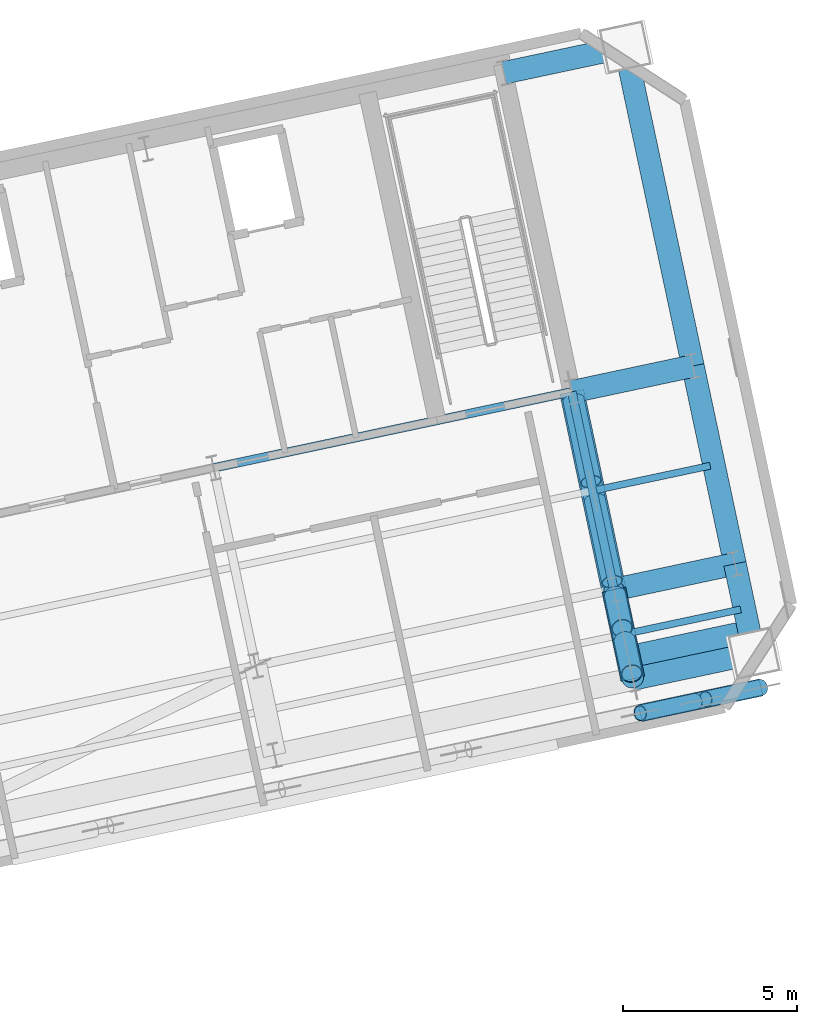
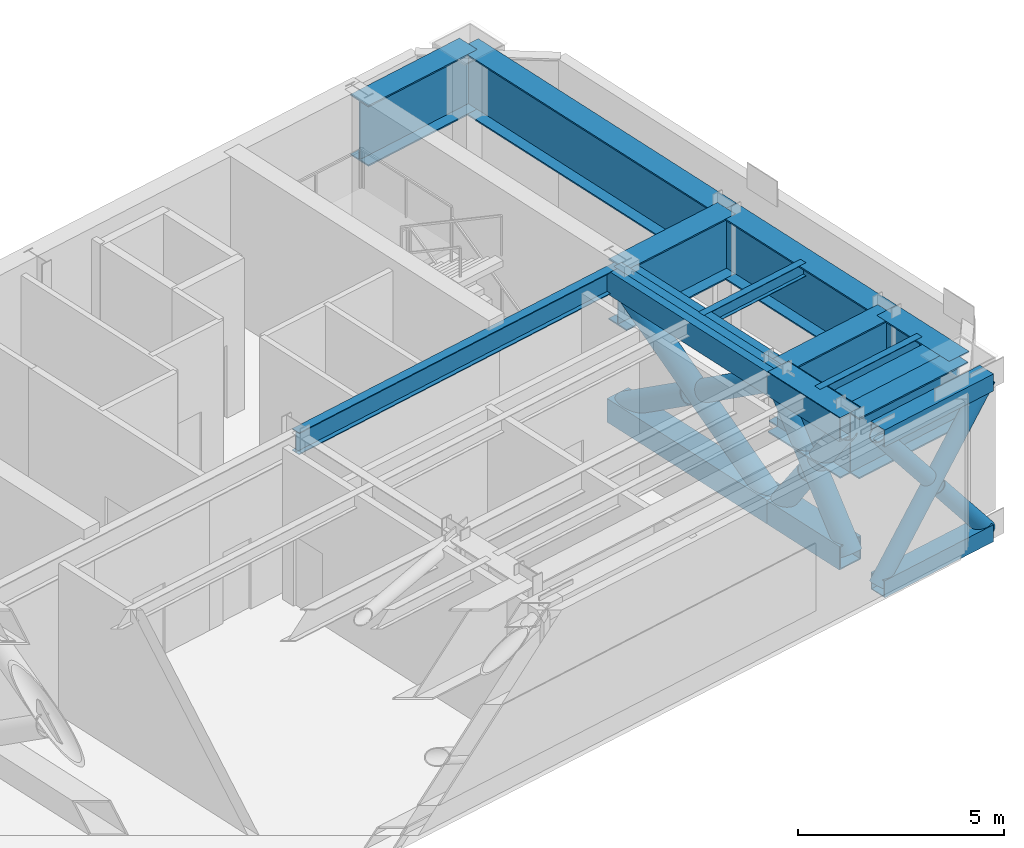
# One storey, part 5 of 15: 15 members, 13 beams.
"""IFC4 building model written with IfcOpenShell, lengths in metres."""

from ifc_helpers import new_model, si_unit, direction, frame, origin, origin_2d, place, context, subcontext, project, spatial, hollow_rectangle, hollow_circle, i_section, extrude, material, material_profile, profile_set, type_object, element, save


model = new_model("IFC4")

# Units and contexts
model_context = context("Model", 3, precision=1e-05, world=origin(), true_north=direction((0.0, 1.0)))
body_context = subcontext(model_context, "Body", "Model", "MODEL_VIEW")
ifc_project = project(units=[si_unit("LENGTHUNIT", "METRE"), si_unit("AREAUNIT", "SQUARE_METRE"), si_unit("VOLUMEUNIT", "CUBIC_METRE"), si_unit("PLANEANGLEUNIT", "RADIAN"), si_unit("MASSUNIT", "GRAM", prefix="KILO")], contexts=[model_context])

# Site, building, storey
site_placement = place(None, origin())
site = spatial("IfcSite", under=ifc_project, at=site_placement, CompositionType="ELEMENT")
building_placement = place(site_placement, origin())
building = spatial("IfcBuilding", under=site, at=building_placement, Name="Haevon Station Towers", CompositionType="ELEMENT")
storey_placement = place(building_placement, frame((0.0, 0.0, 192.300048828125)))
storey = spatial("IfcBuildingStorey", under=building, at=storey_placement, Name="L53", CompositionType="ELEMENT", Elevation=192.300048828125)

# Beams
ifc_material_1 = material(Name="Steel S355", Category="steel")
ifc_material_profile_1 = material_profile(ifc_material_1, i_section(OverallWidth=0.25, OverallDepth=0.64990234375, WebThickness=0.012939453125, FlangeThickness=0.02197265625, at=origin_2d()), Name="H-650x250x13x22")
ifc_profile_set_1 = profile_set([ifc_material_profile_1], Name="Steel S355")
beam_type_1 = type_object("IfcBeamType", Name="BM-G650", PredefinedType="BEAM", material=ifc_profile_set_1)
beam_1_placement = place(storey_placement, frame((109.02294921875, 39.62548828125, 4.175048828125), z_axis=(0.978146794194, 0.207915485254, 0.0), x_axis=(-0.207915485254, 0.978146794194, 0.0)))
element("IfcBeam", 1, at=beam_1_placement, inside=storey, type_object=beam_type_1, Name="BM-T2U-L53-03-03", PredefinedType="BEAM", context=body_context, shape_type="SweptSolid", body=[
    extrude(i_section(OverallWidth=0.25, OverallDepth=0.64990234375, WebThickness=0.012939453125, FlangeThickness=0.02197265625, at=origin_2d()), origin(), (0.0, 0.0, 1.0), 10.5),
])
beam_2_placement = place(storey_placement, frame((120.499267578125, 36.13525390625, 4.175048828125), z_axis=(-0.207896009217, 0.97815093383, 0.0), x_axis=(-0.97815093383, -0.207896009217, 0.0)))
element("IfcBeam", 2, at=beam_2_placement, inside=storey, type_object=beam_type_1, Name="BM-T2V-L53-04-02", PredefinedType="BEAM", context=body_context, shape_type="SweptSolid", body=[
    extrude(i_section(OverallWidth=0.25, OverallDepth=0.64990234375, WebThickness=0.012939453125, FlangeThickness=0.02197265625, at=origin_2d()), origin(), (0.0, 0.0, 1.0), 5.800048828125),
])
ifc_material_profile_2 = material_profile(ifc_material_1, i_section(OverallWidth=0.199951171875, OverallDepth=0.39990234375, WebThickness=0.008056640625, FlangeThickness=0.012939453125, at=origin_2d()), Name="H-400x200x8x13")
ifc_profile_set_2 = profile_set([ifc_material_profile_2], Name="Steel S355")
beam_type_2 = type_object("IfcBeamType", Name="BM-J400", PredefinedType="JOIST", material=ifc_profile_set_2)
beam_3_placement = place(storey_placement, frame((120.87939453125, 34.876708984375, 4.300048828125), z_axis=(0.978143382141, 0.207931536748, 0.0), x_axis=(-0.207931536748, 0.978143382141, 0.0)))
element("IfcBeam", 3, at=beam_3_placement, inside=storey, type_object=beam_type_2, Name="BM-T2J-L53-01-04", PredefinedType="JOIST", context=body_context, shape_type="SweptSolid", body=[
    extrude(i_section(OverallWidth=0.199951171875, OverallDepth=0.39990234375, WebThickness=0.008056640625, FlangeThickness=0.012939453125, at=origin_2d()), origin(), (0.0, 0.0, 1.0), 3.329833984375),
])
beam_4_placement = place(storey_placement, frame((120.00390625, 38.994873046875, 4.300048828125), z_axis=(0.978146551768, 0.207916625754, 0.0), x_axis=(-0.207916625754, 0.978146551768, 0.0)))
element("IfcBeam", 4, at=beam_4_placement, inside=storey, type_object=beam_type_2, Name="BM-T2J-L53-02-04", PredefinedType="JOIST", context=body_context, shape_type="SweptSolid", body=[
    extrude(i_section(OverallWidth=0.199951171875, OverallDepth=0.39990234375, WebThickness=0.008056640625, FlangeThickness=0.012939453125, at=origin_2d()), origin(), (0.0, 0.0, 1.0), 3.330078125),
])
ifc_material_2 = material(Name="Steel S460", Category="steel")
ifc_material_profile_3 = material_profile(ifc_material_2, i_section(OverallWidth=0.64990234375, OverallDepth=1.800048828125, WebThickness=0.02490234375, FlangeThickness=0.0400390625, at=origin_2d()), Name="H-1800x650x25x40")
ifc_profile_set_3 = profile_set([ifc_material_profile_3], Name="Steel S460")
beam_type_3 = type_object("IfcBeamType", Name="BM-TG1800", PredefinedType="BEAM", material=ifc_profile_set_3)
beam_5_placement = place(storey_placement, frame((121.0439453125, 33.572509765625, 3.599853515625), z_axis=(0.978153257847, 0.207885074414, 0.0), x_axis=(-0.207885074414, 0.978153257847, 0.0)))
element("IfcBeam", 5, at=beam_5_placement, inside=storey, type_object=beam_type_3, Name="BM-T2U-L53-01-04", PredefinedType="BEAM", context=body_context, shape_type="SweptSolid", body=[
    extrude(i_section(OverallWidth=0.64990234375, OverallDepth=1.800048828125, WebThickness=0.02490234375, FlangeThickness=0.0400390625, at=origin_2d()), origin(), (0.0, 0.0, 1.0), 3.55029296875),
])
for number, where, z_axis, x_axis, name in (
    (6, (120.499267578125, 36.13525390625, 3.599853515625), (0.978150285663, 0.207899058817, 0.0), (-0.207899058817, 0.978150285663, 0.0), "BM-T2U-L53-02-04"),
    (7, (119.29345703125, 41.80859375, 3.599853515625), (0.978150285663, 0.207899058817, 0.0), (-0.207899058817, 0.978150285663, 0.0), "BM-T2U-L53-03-04"),
):
    element("IfcBeam", number, at=place(storey_placement, frame(where, z_axis=z_axis, x_axis=x_axis)), inside=storey, type_object=beam_type_3, Name=name, PredefinedType="BEAM", context=body_context, shape_type="SweptSolid", body=[
        extrude(i_section(OverallWidth=0.64990234375, OverallDepth=1.800048828125, WebThickness=0.02490234375, FlangeThickness=0.0400390625, at=origin_2d()), origin(), (0.0, 0.0, 1.0), 3.550048828125),
    ])
beam_6_placement = place(storey_placement, frame((117.349365234375, 50.954345703125, 3.599853515625), z_axis=(0.978153257847, 0.207885074414, 0.0), x_axis=(-0.207885074414, 0.978153257847, 0.0)))
element("IfcBeam", 8, at=beam_6_placement, inside=storey, type_object=beam_type_3, Name="BM-T2U-L53-04-04", PredefinedType="BEAM", context=body_context, shape_type="SweptSolid", body=[
    extrude(i_section(OverallWidth=0.64990234375, OverallDepth=1.800048828125, WebThickness=0.02490234375, FlangeThickness=0.0400390625, at=origin_2d()), origin(), (0.0, 0.0, 1.0), 3.55029296875),
])
beam_7_placement = place(storey_placement, frame((121.0439453125, 33.572509765625, 3.599853515625), z_axis=(-0.207893304367, 0.978151508714, 0.0), x_axis=(-0.978151508714, -0.207893304367, 0.0)))
element("IfcBeam", 9, at=beam_7_placement, inside=storey, type_object=beam_type_3, Name="BM-T2V-L53-04-01", PredefinedType="BEAM", context=body_context, shape_type="SweptSolid", body=[
    extrude(i_section(OverallWidth=0.64990234375, OverallDepth=1.800048828125, WebThickness=0.02490234375, FlangeThickness=0.0400390625, at=origin_2d()), origin(), (0.0, 0.0, 1.0), 2.619873046875),
])
beam_8_placement = place(storey_placement, frame((124.5166015625, 34.310546875, 3.599853515625), z_axis=(-0.207982458313, 0.978132555963, 0.0), x_axis=(-0.978132555963, -0.207982458313, 0.0)))
element("IfcBeam", 10, at=beam_8_placement, inside=storey, type_object=beam_type_3, Name="BM-T2V-L53-05-01", PredefinedType="BEAM", context=body_context, shape_type="SweptSolid", body=[
    extrude(i_section(OverallWidth=0.64990234375, OverallDepth=1.800048828125, WebThickness=0.02490234375, FlangeThickness=0.0400390625, at=origin_2d()), origin(), (0.0, 0.0, 1.0), 2.6201171875),
])
beam_9_placement = place(storey_placement, frame((123.9716796875, 36.873291015625, 3.599853515625), z_axis=(-0.207896009217, 0.97815093383, 0.0), x_axis=(-0.97815093383, -0.207896009217, 0.0)))
element("IfcBeam", 11, at=beam_9_placement, inside=storey, type_object=beam_type_3, Name="BM-T2V-L53-05-02", PredefinedType="BEAM", context=body_context, shape_type="SweptSolid", body=[
    extrude(i_section(OverallWidth=0.64990234375, OverallDepth=1.800048828125, WebThickness=0.02490234375, FlangeThickness=0.0400390625, at=origin_2d()), origin(), (0.0, 0.0, 1.0), 5.800048828125),
])
beam_10_placement = place(storey_placement, frame((122.765869140625, 42.546630859375, 3.599853515625), z_axis=(-0.207897167074, 0.978150687738, 0.0), x_axis=(-0.978150687738, -0.207897167074, 0.0)))
element("IfcBeam", 12, at=beam_10_placement, inside=storey, type_object=beam_type_3, Name="BM-T2V-L53-05-03", PredefinedType="BEAM", context=body_context, shape_type="SweptSolid", body=[
    extrude(i_section(OverallWidth=0.64990234375, OverallDepth=1.800048828125, WebThickness=0.02490234375, FlangeThickness=0.0400390625, at=origin_2d()), origin(), (0.0, 0.0, 1.0), 9.35009765625),
])
beam_11_placement = place(storey_placement, frame((120.910888671875, 34.198486328125, 3.599853515625), z_axis=(0.97813927235, 0.207950868925, 0.0), x_axis=(-0.207950868925, 0.97813927235, 0.0)))
element("IfcBeam", 13, at=beam_11_placement, inside=storey, type_object=beam_type_3, Name="BM-T2CTRN-L53-2", PredefinedType="BEAM", context=body_context, shape_type="SweptSolid", body=[
    extrude(i_section(OverallWidth=0.64990234375, OverallDepth=1.800048828125, WebThickness=0.02490234375, FlangeThickness=0.0400390625, at=origin_2d()), origin(), (0.0, 0.0, 1.0), 3.55029296875),
])

# Members
ifc_material_profile_4 = material_profile(ifc_material_2, hollow_circle(Radius=0.228515625, WallThickness=0.02001953125, at=origin_2d()), Name="CHS-457x20")
ifc_profile_set_4 = profile_set([ifc_material_profile_4], Name="Steel S460")
member_type_1 = type_object("IfcMemberType", Name="BRBLT-457", PredefinedType="BRACE", material=ifc_profile_set_4)
member_1_placement = place(storey_placement, frame((121.251953125, 32.594482421875, -0.080078125), z_axis=(0.609161394946, 0.129473029384, 0.782405987688), x_axis=(-0.207899058817, 0.978150285663, 0.0)))
element("IfcMember", 14, at=member_1_placement, inside=storey, type_object=member_type_1, Name="Tower 2 L53 Belt Truss Continuous Diagonal", PredefinedType="BRACE", context=body_context, shape_type="SweptSolid", body=[
    extrude(hollow_circle(Radius=0.228515625, WallThickness=0.02001953125, at=origin_2d()), origin(), (0.0, 0.0, 1.0), 5.7001953125),
])
for number, where, z_axis, x_axis, name in (
    (15, (121.251953125, 32.594482421875, 4.3798828125), (0.60920671301, 0.129475136795, -0.782370353333), (-0.207887499324, 0.978152742482, 0.0), "Tower 2 L53 Belt Truss Split Counter Diagonal Lower"),
    (16, (123.134765625, 32.99462890625, 1.961669921875), (0.609147876576, 0.129482515924, -0.782414942682), (-0.207918047811, 0.978146249492, 0.0), "Tower 2 L53 Belt Truss Split Counter Diagonal Upper"),
):
    element("IfcMember", number, at=place(storey_placement, frame(where, z_axis=z_axis, x_axis=x_axis)), inside=storey, type_object=member_type_1, Name=name, PredefinedType="BRACE", context=body_context, shape_type="SweptSolid", body=[
        extrude(hollow_circle(Radius=0.228515625, WallThickness=0.02001953125, at=origin_2d()), origin(), (0.0, 0.0, 1.0), 2.609619140625),
    ])
ifc_material_profile_5 = material_profile(ifc_material_2, hollow_circle(Radius=0.3046875, WallThickness=0.02490234375, at=origin_2d()), Name="CHS-609.6x25")
ifc_profile_set_5 = profile_set([ifc_material_profile_5], Name="Steel S460")
member_type_2 = type_object("IfcMemberType", Name="BROUT-610", PredefinedType="BRACE", material=ifc_profile_set_5)
member_2_placement = place(storey_placement, frame((121.0439453125, 33.572509765625, 0.349853515625), z_axis=(-0.118005401179, 0.555223082103, 0.823287346188), x_axis=(-0.978151508714, -0.207893304367, 0.0)))
element("IfcMember", 17, at=member_2_placement, inside=storey, type_object=member_type_2, Name="Tower 2 L53 Outrigger Truss Continuous Web Brace", PredefinedType="BRACE", context=body_context, shape_type="SweptSolid", body=[
    extrude(hollow_circle(Radius=0.3046875, WallThickness=0.02490234375, at=origin_2d()), origin(), (0.0, 0.0, 1.0), 4.61572265625),
])
member_3_placement = place(storey_placement, frame((121.010986328125, 33.72802734375, 3.91943359375), z_axis=(-0.118016273097, 0.555261570276, -0.823259830101), x_axis=(-0.97815054445, -0.207897841239, 0.0)))
element("IfcMember", 18, at=member_3_placement, inside=storey, type_object=member_type_2, Name="Tower 2 L53 Outrigger Truss Split Counter Brace Lower", PredefinedType="BRACE", context=body_context, shape_type="SweptSolid", body=[
    extrude(hollow_circle(Radius=0.3046875, WallThickness=0.02490234375, at=origin_2d()), origin(), (0.0, 0.0, 1.0), 1.7109375),
])
member_4_placement = place(storey_placement, frame((120.734375, 35.030029296875, 1.989013671875), z_axis=(-0.11802562439, 0.555162852332, -0.823325063008), x_axis=(-0.978139675074, -0.207948974624, 0.0)))
element("IfcMember", 19, at=member_4_placement, inside=storey, type_object=member_type_2, Name="Tower 2 L53 Outrigger Truss Split Counter Brace Upper", PredefinedType="BRACE", context=body_context, shape_type="SweptSolid", body=[
    extrude(hollow_circle(Radius=0.3046875, WallThickness=0.02490234375, at=origin_2d()), origin(), (0.0, 0.0, 1.0), 1.710693359375),
])
member_5_placement = place(storey_placement, frame((120.499267578125, 36.13525390625, 0.349853515625), z_axis=(-0.173896852721, 0.818184868098, 0.548026829845), x_axis=(-0.97815093383, -0.207896009217, 0.0)))
element("IfcMember", 20, at=member_5_placement, inside=storey, type_object=member_type_2, Name="Tower 2 L53 Outrigger Truss Continuous Web Brace", PredefinedType="BRACE", context=body_context, shape_type="SweptSolid", body=[
    extrude(hollow_circle(Radius=0.3046875, WallThickness=0.02490234375, at=origin_2d()), origin(), (0.0, 0.0, 1.0), 6.93408203125),
])
member_6_placement = place(storey_placement, frame((120.45068359375, 36.364501953125, 3.99658203125), z_axis=(-0.173955826528, 0.818145300514, -0.548067183532), x_axis=(-0.978134548537, -0.207973087103, 0.0)))
element("IfcMember", 21, at=member_6_placement, inside=storey, type_object=member_type_2, Name="Tower 2 L53 Outrigger Truss Split Counter Brace Lower", PredefinedType="BRACE", context=body_context, shape_type="SweptSolid", body=[
    extrude(hollow_circle(Radius=0.3046875, WallThickness=0.02490234375, at=origin_2d()), origin(), (0.0, 0.0, 1.0), 2.8701171875),
])
member_7_placement = place(storey_placement, frame((119.84130859375, 39.231201171875, 2.076171875), z_axis=(-0.173963936421, 0.818183442787, -0.548007666712), x_axis=(-0.978134548537, -0.207973087103, 0.0)))
element("IfcMember", 22, at=member_7_placement, inside=storey, type_object=member_type_2, Name="Tower 2 L53 Outrigger Truss Split Counter Brace Upper", PredefinedType="BRACE", context=body_context, shape_type="SweptSolid", body=[
    extrude(hollow_circle(Radius=0.3046875, WallThickness=0.02490234375, at=origin_2d()), origin(), (0.0, 0.0, 1.0), 2.869873046875),
])
ifc_material_profile_6 = material_profile(ifc_material_2, hollow_rectangle(XDim=0.5, YDim=0.5, WallThickness=0.02490234375, at=origin_2d()), Name="RHS-500x500x25")
ifc_profile_set_6 = profile_set([ifc_material_profile_6], Name="Steel S460")
member_type_3 = type_object("IfcMemberType", Name="CHBLT-500", PredefinedType="CHORD", material=ifc_profile_set_6)
for number, where, z_axis, x_axis, name in (
    (23, (121.251953125, 32.594482421875, -0.080078125), (0.978150285663, 0.207899058817, 0.0), (-0.207899058817, 0.978150285663, 0.0), "Tower 2 L53 Belt Truss Bottom Chord"),
    (24, (121.251953125, 32.594482421875, 4.3798828125), (0.978150285663, 0.207899058817, 0.0), (-0.207899058817, 0.978150285663, 0.0), "Tower 2 L53 Belt Truss Top Chord"),
):
    element("IfcMember", number, at=place(storey_placement, frame(where, z_axis=z_axis, x_axis=x_axis)), inside=storey, type_object=member_type_3, Name=name, PredefinedType="CHORD", context=body_context, shape_type="SweptSolid", body=[
        extrude(hollow_rectangle(XDim=0.5, YDim=0.5, WallThickness=0.02490234375, at=origin_2d()), origin(), (0.0, 0.0, 1.0), 3.550048828125),
    ])
ifc_material_profile_7 = material_profile(ifc_material_2, hollow_rectangle(XDim=0.699951171875, YDim=0.699951171875, WallThickness=0.034912109375, at=origin_2d()), Name="RHS-700x700x35")
ifc_profile_set_7 = profile_set([ifc_material_profile_7], Name="Steel S460")
member_type_4 = type_object("IfcMemberType", Name="CHOUT-700", PredefinedType="CHORD", material=ifc_profile_set_7)
for number, where, z_axis, x_axis, name in (
    (25, (121.0439453125, 33.572509765625, 0.349853515625), (-0.207893304367, 0.978151508714, 0.0), (-0.978151508714, -0.207893304367, 0.0), "Tower 2 L53 Outrigger Truss Bottom Chord"),
    (26, (121.0439453125, 33.572509765625, 4.14990234375), (-0.207893304367, 0.978151508714, 0.0), (-0.978151508714, -0.207893304367, 0.0), "Tower 2 L53 Outrigger Truss Top Chord"),
):
    element("IfcMember", number, at=place(storey_placement, frame(where, z_axis=z_axis, x_axis=x_axis)), inside=storey, type_object=member_type_4, Name=name, PredefinedType="CHORD", context=body_context, shape_type="SweptSolid", body=[
        extrude(hollow_rectangle(XDim=0.699951171875, YDim=0.699951171875, WallThickness=0.034912109375, at=origin_2d()), origin(), (0.0, 0.0, 1.0), 2.619873046875),
    ])
for number, where, z_axis, x_axis, name in (
    (27, (120.499267578125, 36.13525390625, 0.349853515625), (-0.207896009217, 0.97815093383, 0.0), (-0.97815093383, -0.207896009217, 0.0), "Tower 2 L53 Outrigger Truss Bottom Chord"),
    (28, (120.499267578125, 36.13525390625, 4.14990234375), (-0.207896009217, 0.97815093383, 0.0), (-0.97815093383, -0.207896009217, 0.0), "Tower 2 L53 Outrigger Truss Top Chord"),
):
    element("IfcMember", number, at=place(storey_placement, frame(where, z_axis=z_axis, x_axis=x_axis)), inside=storey, type_object=member_type_4, Name=name, PredefinedType="CHORD", context=body_context, shape_type="SweptSolid", body=[
        extrude(hollow_rectangle(XDim=0.699951171875, YDim=0.699951171875, WallThickness=0.034912109375, at=origin_2d()), origin(), (0.0, 0.0, 1.0), 5.800048828125),
    ])

save(model, "model.ifc")
